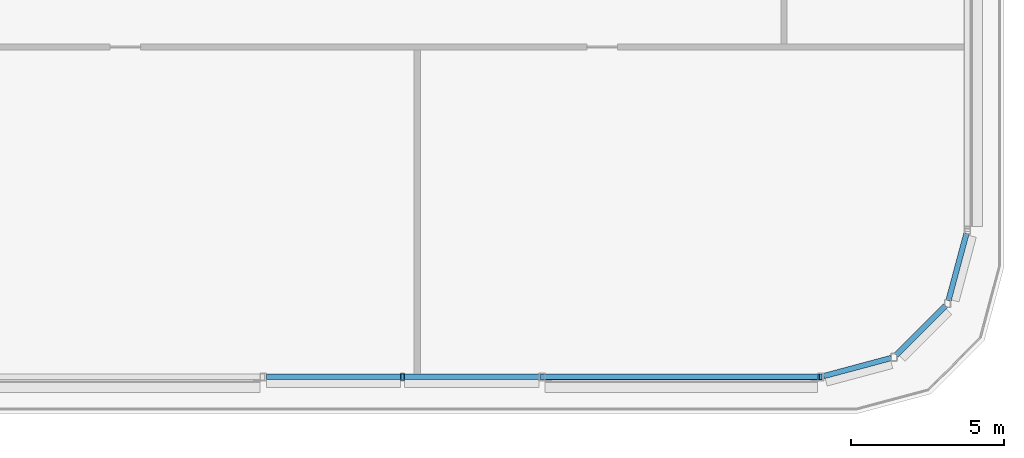
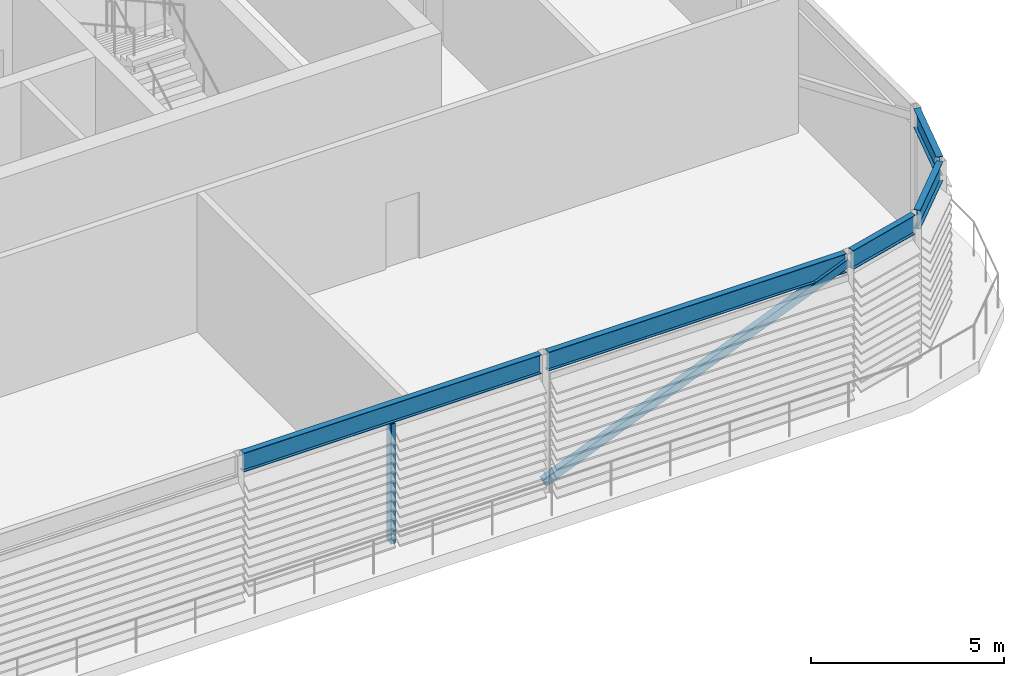
# One storey, part 8 of 29: 5 beams, 2 members.
"""IFC4 building model written with IfcOpenShell, lengths in metres."""

from ifc_helpers import new_model, si_unit, direction, frame, origin, origin_2d, place, context, subcontext, project, spatial, hollow_rectangle, i_section, extrude, material, material_profile, profile_set, type_object, element, save


model = new_model("IFC4")

# Units and contexts
model_context = context("Model", 3, precision=1e-05, world=origin(), true_north=direction((0.0, 1.0)))
body_context = subcontext(model_context, "Body", "Model", "MODEL_VIEW")
ifc_project = project(units=[si_unit("LENGTHUNIT", "METRE"), si_unit("AREAUNIT", "SQUARE_METRE"), si_unit("VOLUMEUNIT", "CUBIC_METRE"), si_unit("PLANEANGLEUNIT", "RADIAN"), si_unit("MASSUNIT", "GRAM", prefix="KILO")], contexts=[model_context])

# Site, building, storey
site_placement = place(None, origin())
site = spatial("IfcSite", under=ifc_project, at=site_placement, CompositionType="ELEMENT")
building_placement = place(site_placement, origin())
building = spatial("IfcBuilding", under=site, at=building_placement, Name="Madar Terraces", CompositionType="ELEMENT")
storey_placement = place(building_placement, frame((0.0, 0.0, 296.300048828125)))
storey = spatial("IfcBuildingStorey", under=building, at=storey_placement, Name="L77", CompositionType="ELEMENT", Elevation=296.300048828125)

# Beams
ifc_material_1 = material(Name="Steel ASTM A992 Grade 50", Category="steel")
ifc_material_profile_1 = material_profile(ifc_material_1, i_section(OverallWidth=0.1787109375, OverallDepth=0.60205078125, WebThickness=0.010986328125, FlangeThickness=0.014892578125, at=origin_2d()), Name="W24x62")
ifc_profile_set_1 = profile_set([ifc_material_profile_1], Name="Steel ASTM A992 Grade 50")
beam_type = type_object("IfcBeamType", Name="CF2 W24x62", PredefinedType="BEAM", material=ifc_profile_set_1)
for number, where, z_axis, x_axis, name in (
    (1, (33.461669921875, 1.199951171875, 4.098876953125), (1.0, 0.0, 0.0), (0.0, 1.0, 0.0), "Crown frame ring beam CF2"),
    (2, (42.58154296875, 1.199951171875, 4.098876953125), (1.0, 0.0, 0.0), (0.0, 1.0, 0.0), "Crown frame ring beam CF2"),
):
    element("IfcBeam", number, at=place(storey_placement, frame(where, z_axis=z_axis, x_axis=x_axis)), inside=storey, type_object=beam_type, Name=name, PredefinedType="BEAM", context=body_context, shape_type="SweptSolid", body=[
        extrude(i_section(OverallWidth=0.1787109375, OverallDepth=0.60205078125, WebThickness=0.010986328125, FlangeThickness=0.014892578125, at=origin_2d()), origin(), (0.0, 0.0, 1.0), 8.916748046875),
    ])
beam_1_placement = place(storey_placement, frame((51.6982421875, 1.226318359375, 4.098876953125), z_axis=(0.965912700012, 0.258868028067, 0.0), x_axis=(-0.258868028067, 0.965912700012, 0.0)))
element("IfcBeam", 3, at=beam_1_placement, inside=storey, type_object=beam_type, Name="Crown frame ring beam CF2", PredefinedType="BEAM", context=body_context, shape_type="SweptSolid", body=[
    extrude(i_section(OverallWidth=0.1787109375, OverallDepth=0.60205078125, WebThickness=0.010986328125, FlangeThickness=0.014892578125, at=origin_2d()), origin(), (0.0, 0.0, 1.0), 2.281494140625),
])
beam_2_placement = place(storey_placement, frame((54.07177734375, 1.9150390625, 4.098876953125), z_axis=(0.707160287053, 0.707053271271, 0.0), x_axis=(-0.707053271271, 0.707160287053, 0.0)))
element("IfcBeam", 4, at=beam_2_placement, inside=storey, type_object=beam_type, Name="Crown frame ring beam CF2", PredefinedType="BEAM", context=body_context, shape_type="SweptSolid", body=[
    extrude(i_section(OverallWidth=0.1787109375, OverallDepth=0.60205078125, WebThickness=0.010986328125, FlangeThickness=0.014892578125, at=origin_2d()), origin(), (0.0, 0.0, 1.0), 2.28125),
])
beam_3_placement = place(storey_placement, frame((55.783203125, 3.6982421875, 4.098876953125), z_axis=(0.258868028067, 0.965912700012, 0.0), x_axis=(-0.965912700012, 0.258868028067, 0.0)))
element("IfcBeam", 5, at=beam_3_placement, inside=storey, type_object=beam_type, Name="Crown frame ring beam CF2", PredefinedType="BEAM", context=body_context, shape_type="SweptSolid", body=[
    extrude(i_section(OverallWidth=0.1787109375, OverallDepth=0.60205078125, WebThickness=0.010986328125, FlangeThickness=0.014892578125, at=origin_2d()), origin(), (0.0, 0.0, 1.0), 2.281494140625),
])

# Members
ifc_material_2 = material(Name="Steel ASTM A500 Grade C", Category="steel")
ifc_material_profile_2 = material_profile(ifc_material_2, hollow_rectangle(XDim=0.203125, YDim=0.25390625, WallThickness=0.009521484375, InnerFilletRadius=0.00439453125, OuterFilletRadius=0.01318359375, at=origin_2d()), Name="HSS10x8x.375")
ifc_profile_set_2 = profile_set([ifc_material_profile_2], Name="Steel ASTM A500 Grade C")
member_type_1 = type_object("IfcMemberType", Name="CF5 crown frame brace HSS10x8x.375", PredefinedType="BRACE", material=ifc_profile_set_2)
member_1_placement = place(storey_placement, frame((42.47998046875, 1.199951171875, 0.300048828125), z_axis=(0.923120783546, 0.0, 0.38451010258), x_axis=(0.0, 1.0, 0.0)))
element("IfcMember", 6, at=member_1_placement, inside=storey, type_object=member_type_1, Name="Crown frame brace CF5", PredefinedType="BRACE", context=body_context, shape_type="SweptSolid", body=[
    extrude(hollow_rectangle(XDim=0.203125, YDim=0.25390625, WallThickness=0.009521484375, InnerFilletRadius=0.00439453125, OuterFilletRadius=0.01318359375, at=origin_2d()), origin(), (0.0, 0.0, 1.0), 9.879638671875),
])
ifc_material_3 = material(Name="Steel ASTM A500 Grade C", Category="steel")
ifc_material_profile_3 = material_profile(ifc_material_3, hollow_rectangle(XDim=0.126953125, YDim=0.25390625, WallThickness=0.00634765625, InnerFilletRadius=0.0029296875, OuterFilletRadius=0.0087890625, at=origin_2d()), Name="HSS10x5x.25")
ifc_profile_set_3 = profile_set([ifc_material_profile_3], Name="Steel ASTM A500 Grade C")
member_type_2 = type_object("IfcMemberType", Name="LS2 HSS10x5x.25", PredefinedType="POST", material=ifc_profile_set_3)
member_2_placement = place(storey_placement, frame((37.919921875, 1.199951171875, 0.0), z_axis=(0.0, 0.0, 1.0), x_axis=(1.0, 0.0, 0.0)))
element("IfcMember", 7, at=member_2_placement, inside=storey, type_object=member_type_2, Name="Crown louvre post LS2", PredefinedType="POST", context=body_context, shape_type="SweptSolid", body=[
    extrude(hollow_rectangle(XDim=0.126953125, YDim=0.25390625, WallThickness=0.00634765625, InnerFilletRadius=0.0029296875, OuterFilletRadius=0.0087890625, at=origin_2d()), origin(), (0.0, 0.0, 1.0), 3.7978515625),
])

save(model, "model.ifc")
